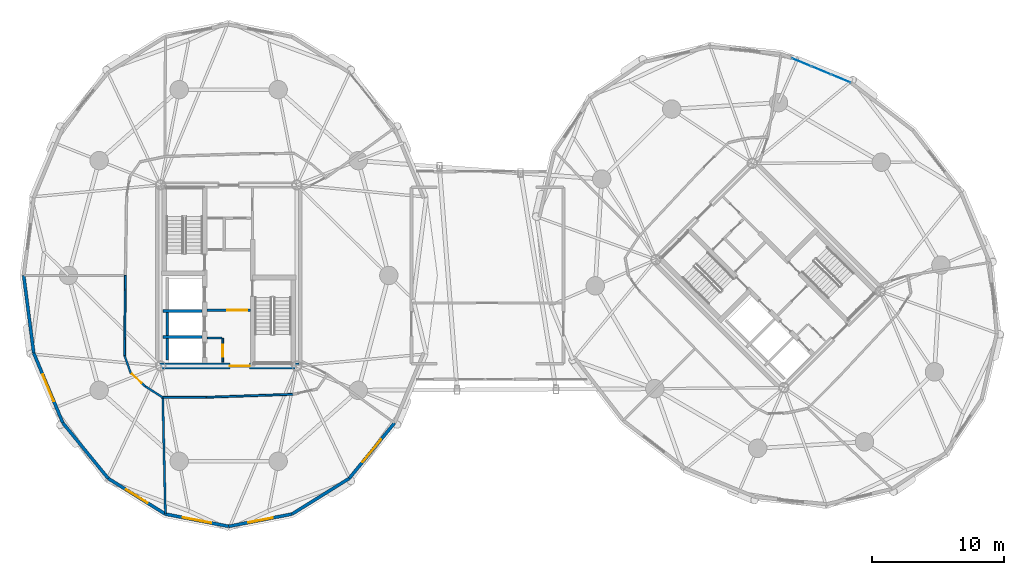
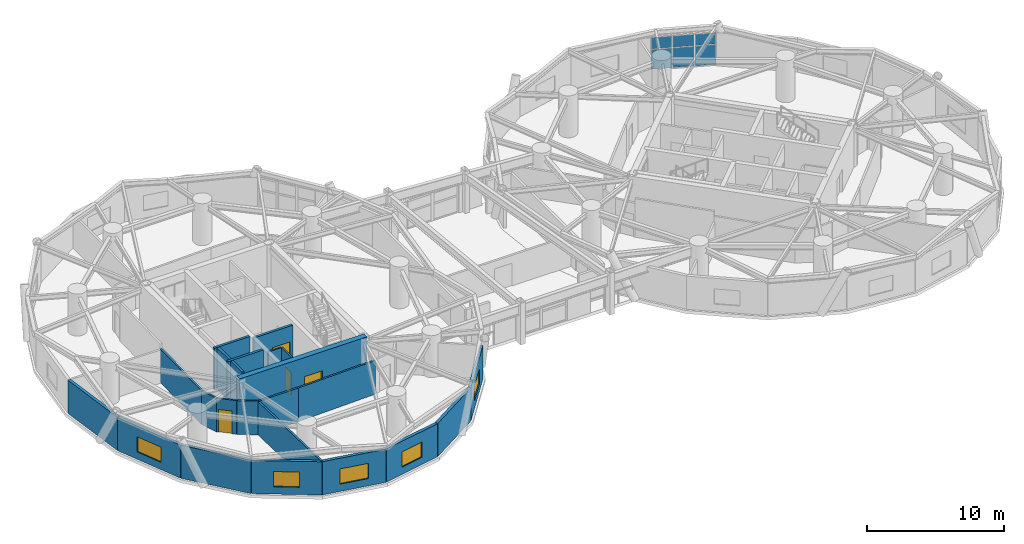
# One storey, part 12 of 19: 23 walls, 6 plates, 5 windows, 4 doors, 9 openings, 1 element without a shape of its own.
"""IFC4 building model written with IfcOpenShell, lengths in metres."""

from ifc_helpers import new_model, si_unit, direction, frame, frame_2d, origin, origin_2d, place, context, subcontext, project, spatial, rectangle, extrude, source, transform, mapped, material, layer, layer_set, type_object, element, fill, aggregate, save


model = new_model("IFC4")

# Units and contexts
model_context = context("Model", 3, precision=1e-05, world=origin(), true_north=direction((0.0, 1.0)))
body_context = subcontext(model_context, "Body", "Model", "MODEL_VIEW")
ifc_project = project(units=[si_unit("LENGTHUNIT", "METRE"), si_unit("AREAUNIT", "SQUARE_METRE"), si_unit("VOLUMEUNIT", "CUBIC_METRE"), si_unit("PLANEANGLEUNIT", "RADIAN"), si_unit("MASSUNIT", "GRAM", prefix="KILO")], contexts=[model_context])

# Site, building, storey
site_placement = place(None, origin())
site = spatial("IfcSite", under=ifc_project, at=site_placement, CompositionType="ELEMENT")
building_placement = place(site_placement, origin())
building = spatial("IfcBuilding", under=site, at=building_placement, Name="Cununo Teusaquillo Station Towers", CompositionType="ELEMENT")
storey_placement = place(building_placement, frame((0.0, 0.0, 136.60009765625)))
storey = spatial("IfcBuildingStorey", under=building, at=storey_placement, Name="L43", CompositionType="ELEMENT", Elevation=136.60009765625)

# Curtain wall, plates
ifc_material_1 = material(Name="Ceramic-fritted dark low-E double glazing", Category="glass")
ifc_layer_1 = layer(ifc_material_1, 0.179931640625)
ifc_layer_set_1 = layer_set([ifc_layer_1], Name="Ceramic-fritted dark low-E double glazing")
curtain_wall_type = type_object("IfcCurtainWallType", Name="CW-SYS-04", PredefinedType="USERDEFINED", material=ifc_layer_set_1)
curtain_wall_placement = place(storey_placement, origin())
curtain_wall = element("IfcCurtainWall", 1, at=curtain_wall_placement, inside=storey, type_object=curtain_wall_type, Name="L43 Tower B Facade Curtain Wall C01", ObjectType="FRITTED GLAZING", PredefinedType="USERDEFINED")
ifc_material_2 = material(Name="Ceramic-fritted dark low-E double glazing", Category="glass")
ifc_layer_2 = layer(ifc_material_2, 0.028076171875)
ifc_layer_set_2 = layer_set([ifc_layer_2], Name="Ceramic-fritted dark low-E double glazing")
plate_type = type_object("IfcPlateType", Name="CWP-FRIT-28", PredefinedType="CURTAIN_PANEL", material=ifc_layer_set_2)
shared_shape_1 = source(origin(), body_context, "Body", "SweptSolid", [
    extrude(rectangle(XDim=1.531005859375, YDim=0.028076171875, at=origin_2d()), origin(), (0.0, 0.0, 1.0), 1.7451171875),
])
plate_1_placement = place(storey_placement, frame((60.045654296875, 40.697021484375, 0.06982421875), z_axis=(0.0, 0.0, 1.0), x_axis=(0.924562443652, -0.381030560176, 0.0)))
plate_1 = element("IfcPlate", 2, at=plate_1_placement, type_object=plate_type, Name="CW-04 panel 1.1", PredefinedType="CURTAIN_PANEL", context=body_context, shape_type="MappedRepresentation", body=[
    mapped(shared_shape_1, transform((0.0, 0.0, 0.0), x_axis=(1.0, 0.0, 0.0), y_axis=(0.0, 1.0, 0.0), z_axis=(0.0, 0.0, 1.0), scale=1.0)),
])
plate_2_placement = place(storey_placement, frame((63.03857421875, 39.463623046875, 0.06982421875), z_axis=(0.0, 0.0, 1.0), x_axis=(0.924562443652, -0.381030560176, 0.0)))
plate_2 = element("IfcPlate", 3, at=plate_2_placement, type_object=plate_type, Name="CW-04 panel 3.1", PredefinedType="CURTAIN_PANEL", context=body_context, shape_type="MappedRepresentation", body=[
    mapped(shared_shape_1, transform((0.0, 0.0, 0.0), x_axis=(1.0, 0.0, 0.0), y_axis=(0.0, 1.0, 0.0), z_axis=(0.0, 0.0, 1.0), scale=1.0)),
])
shared_shape_2 = source(origin(), body_context, "Body", "SweptSolid", [
    extrude(rectangle(XDim=1.531005859375, YDim=0.028076171875, at=origin_2d()), origin(), (0.0, 0.0, 1.0), 0.993896484375),
])
plate_3_placement = place(storey_placement, frame((60.045654296875, 40.697021484375, 1.884765625), z_axis=(0.0, 0.0, 1.0), x_axis=(0.924562443652, -0.381030560176, 0.0)))
plate_3 = element("IfcPlate", 4, at=plate_3_placement, type_object=plate_type, Name="CW-04 panel 1.2", PredefinedType="CURTAIN_PANEL", context=body_context, shape_type="MappedRepresentation", body=[
    mapped(shared_shape_2, transform((0.0, 0.0, 0.0), x_axis=(1.0, 0.0, 0.0), y_axis=(0.0, 1.0, 0.0), z_axis=(0.0, 0.0, 1.0), scale=1.0)),
])
plate_4_placement = place(storey_placement, frame((63.03857421875, 39.463623046875, 1.884765625), z_axis=(0.0, 0.0, 1.0), x_axis=(0.924562443652, -0.381030560176, 0.0)))
plate_4 = element("IfcPlate", 5, at=plate_4_placement, type_object=plate_type, Name="CW-04 panel 3.2", PredefinedType="CURTAIN_PANEL", context=body_context, shape_type="MappedRepresentation", body=[
    mapped(shared_shape_2, transform((0.0, 0.0, 0.0), x_axis=(1.0, 0.0, 0.0), y_axis=(0.0, 1.0, 0.0), z_axis=(0.0, 0.0, 1.0), scale=1.0)),
])
shared_shape_3 = source(origin(), body_context, "Body", "SweptSolid", [
    extrude(rectangle(XDim=1.566162109375, YDim=0.028076171875, at=origin_2d()), origin(), (0.0, 0.0, 1.0), 1.7451171875),
])
plate_5_placement = place(storey_placement, frame((61.542236328125, 40.080322265625, 0.06982421875), z_axis=(0.0, 0.0, 1.0), x_axis=(0.924562443652, -0.381030560176, 0.0)))
plate_5 = element("IfcPlate", 6, at=plate_5_placement, type_object=plate_type, Name="CW-04 panel 2.1", PredefinedType="CURTAIN_PANEL", context=body_context, shape_type="MappedRepresentation", body=[
    mapped(shared_shape_3, transform((0.0, 0.0, 0.0), x_axis=(1.0, 0.0, 0.0), y_axis=(0.0, 1.0, 0.0), z_axis=(0.0, 0.0, 1.0), scale=1.0)),
])
shared_shape_4 = source(origin(), body_context, "Body", "SweptSolid", [
    extrude(rectangle(XDim=1.566162109375, YDim=0.028076171875, at=origin_2d()), origin(), (0.0, 0.0, 1.0), 0.993896484375),
])
plate_6_placement = place(storey_placement, frame((61.542236328125, 40.080322265625, 1.884765625), z_axis=(0.0, 0.0, 1.0), x_axis=(0.924562443652, -0.381030560176, 0.0)))
plate_6 = element("IfcPlate", 7, at=plate_6_placement, type_object=plate_type, Name="CW-04 panel 2.2", PredefinedType="CURTAIN_PANEL", context=body_context, shape_type="MappedRepresentation", body=[
    mapped(shared_shape_4, transform((0.0, 0.0, 0.0), x_axis=(1.0, 0.0, 0.0), y_axis=(0.0, 1.0, 0.0), z_axis=(0.0, 0.0, 1.0), scale=1.0)),
])
aggregate(curtain_wall, [plate_1, plate_3, plate_5, plate_6, plate_2, plate_4])

# Walls
ifc_material_3 = material(Name="Concrete C50/60", Category="concrete")
ifc_layer_3 = layer(ifc_material_3, 0.199951171875)
ifc_layer_set_3 = layer_set([ifc_layer_3], Name="Concrete C50/60")
wall_type_1 = type_object("IfcWallType", Name="WL-CORE-200", PredefinedType="SHEAR", material=ifc_layer_set_3)
for number, where, z_axis, x_axis, name in (
    (8, (11.52001953125, 21.800048828125, 0.0), (0.0, 0.0, 1.0), (1.0, 0.0, 0.0), "L43 Tower A Firefighting Lift Shaft South Shear Wall"),
    (9, (11.52001953125, 19.824951171875, 0.0), (0.0, 0.0, 1.0), (1.0, 0.0, 0.0), "L43 Tower A High-Rise Lift Hoistway Divider Shear Wall"),
):
    element("IfcWall", number, at=place(storey_placement, frame(where, z_axis=z_axis, x_axis=x_axis)), inside=storey, type_object=wall_type_1, Name=name, PredefinedType="SHEAR", context=body_context, shape_type="SweptSolid", body=[
        extrude(rectangle(XDim=2.969970703125, YDim=0.199951171875, at=frame_2d((1.48486328125, 0.0))), origin(), (0.0, 0.0, 1.0), 3.719970703125),
    ])
wall_1_placement = place(storey_placement, frame((11.820068359375, 19.945068359375, 0.0), z_axis=(0.0, 0.0, 1.0), x_axis=(0.0, 1.0, 0.0)))
element("IfcWall", 10, at=wall_1_placement, inside=storey, type_object=wall_type_1, Name="L43 Tower A High-Rise Lift 2 Shaft Rear Shear Wall", PredefinedType="SHEAR", context=body_context, shape_type="SweptSolid", body=[
    extrude(rectangle(XDim=1.73486328125, YDim=0.199951171875, at=frame_2d((0.867431640625, 0.0))), origin(), (0.0, 0.0, 1.0), 3.719970703125),
])
wall_2_placement = place(storey_placement, frame((11.820068359375, 18.070068359375, 0.0), z_axis=(0.0, 0.0, 1.0), x_axis=(0.0, 1.0, 0.0)))
element("IfcWall", 11, at=wall_2_placement, inside=storey, type_object=wall_type_1, Name="L43 Tower A High-Rise Lift 1 Shaft Rear Shear Wall", PredefinedType="SHEAR", context=body_context, shape_type="SweptSolid", body=[
    extrude(rectangle(XDim=1.635009765625, YDim=0.199951171875, at=frame_2d((0.8173828125, 0.0))), origin(), (0.0, 0.0, 1.0), 3.719970703125),
])

# Wall, opening, door
ifc_material_4 = material(Name="Concrete C60/75", Category="concrete")
ifc_layer_4 = layer(ifc_material_4, 0.449951171875)
ifc_layer_set_4 = layer_set([ifc_layer_4], Name="Concrete C60/75")
wall_type_2 = type_object("IfcWallType", Name="WL-CORE-450", PredefinedType="SHEAR", material=ifc_layer_set_4)
wall_3_placement = place(storey_placement, frame((11.14990234375, 17.625, 0.0), z_axis=(0.0, 0.0, 1.0), x_axis=(1.0, 0.0, 0.0)))
wall_3 = element("IfcWall", 12, at=wall_3_placement, inside=storey, type_object=wall_type_2, Name="L43 Tower A Core Shear Wall S", PredefinedType="SHEAR", context=body_context, shape_type="SweptSolid", body=[
    extrude(rectangle(XDim=10.7001953125, YDim=0.449951171875, at=frame_2d((5.35009765625, 0.0))), origin(), (0.0, 0.0, 1.0), 3.719970703125),
])
shared_shape_5 = source(origin(), body_context, "Body", "SweptSolid", [
    extrude(rectangle(XDim=1.5, YDim=2.02001953125, at=frame_2d((0.75, 1.010009765625))), frame((0.0, 0.23486328125, 0.0), z_axis=(0.0, -1.0, 0.0), x_axis=(1.0, 0.0, 0.0)), (0.0, 0.0, 1.0), 0.469970703125),
])
opening_1_placement = place(wall_3_placement, frame((5.449951171875, 0.0, 0.0)))
opening_1 = element("IfcOpeningElement", 13, at=opening_1_placement, cuts=wall_3, Name="Opening D-LB1", PredefinedType="OPENING", context=body_context, shape_type="MappedRepresentation", body=[
    mapped(shared_shape_5, transform((0.0, 0.0, 0.0), x_axis=(1.0, 0.0, 0.0), y_axis=(0.0, 1.0, 0.0), z_axis=(0.0, 0.0, 1.0), scale=1.0)),
])
ifc_material_5 = material(Name="Galvanised fire-rated hollow steel door assembly", Category="steel")
door_type_1 = type_object("IfcDoorType", Name="DR-LOBBY-1500", OperationType="DOUBLE_DOOR_SINGLE_SWING", PredefinedType="DOOR", material=ifc_material_5)
shared_shape_6 = source(origin(), body_context, "Body", "SweptSolid", [
    extrude(rectangle(XDim=1.5, YDim=2.02001953125, at=frame_2d((0.75, 1.010009765625))), frame((0.0, 0.02490234375, 0.0), z_axis=(0.0, -1.0, 0.0), x_axis=(1.0, 0.0, 0.0)), (0.0, 0.0, 1.0), 0.050048828125),
])
door_1_placement = place(opening_1_placement, origin())
door_1 = element("IfcDoor", 14, at=door_1_placement, inside=storey, type_object=door_type_1, Name="L43 Tower A South Core Lift Lobby Door", OperationType="DOUBLE_DOOR_SINGLE_SWING", OverallHeight=2.02001953125, OverallWidth=1.5, PredefinedType="DOOR", context=body_context, shape_type="MappedRepresentation", body=[
    mapped(shared_shape_6, transform((0.0, 0.0, 0.0), x_axis=(1.0, 0.0, 0.0), y_axis=(0.0, 1.0, 0.0), z_axis=(0.0, 0.0, 1.0), scale=1.0)),
])
fill(opening_1, door_1)

# Wall
ifc_material_6 = material(Name="Precast concrete C40/50", Category="concrete")
ifc_layer_5 = layer(ifc_material_6, 0.239990234375)
ifc_layer_set_5 = layer_set([ifc_layer_5], Name="Precast concrete C40/50")
wall_type_3 = type_object("IfcWallType", Name="WL-EXT-240", PredefinedType="SOLIDWALL", material=ifc_layer_set_5)
wall_4_placement = place(storey_placement, frame((1.681640625, 18.60693359375, 0.0), z_axis=(0.0, 0.0, 1.0), x_axis=(-0.128351991996, 0.991728675672, 0.0)))
element("IfcWall", 15, at=wall_4_placement, inside=storey, type_object=wall_type_3, Name="L43 Tower A Exterior Facade Wall C10", PredefinedType="SOLIDWALL", context=body_context, shape_type="SweptSolid", body=[
    extrude(rectangle(XDim=5.942138671875, YDim=0.239990234375, at=frame_2d((2.97119140625, 0.0))), origin(), (0.0, 0.0, 1.0), 2.948974609375),
])

# Wall, opening, window
wall_5_placement = place(storey_placement, frame((3.894775390625, 13.291015625, 0.0), z_axis=(0.0, 0.0, 1.0), x_axis=(-0.384344417632, 0.923189779317, 0.0)))
wall_5 = element("IfcWall", 16, at=wall_5_placement, inside=storey, type_object=wall_type_3, Name="L43 Tower A Exterior Facade Wall C11", PredefinedType="SOLIDWALL", context=body_context, shape_type="SweptSolid", body=[
    extrude(rectangle(XDim=5.75830078125, YDim=0.239990234375, at=frame_2d((2.879150390625, 0.0))), origin(), (0.0, 0.0, 1.0), 2.948974609375),
])
shared_shape_7 = source(origin(), body_context, "Body", "SweptSolid", [
    extrude(rectangle(XDim=2.199951171875, YDim=1.35009765625, at=frame_2d((1.10009765625, 0.675048828125))), frame((0.0, 0.1298828125, 0.0), z_axis=(0.0, -1.0, 0.0), x_axis=(1.0, 0.0, 0.0)), (0.0, 0.0, 1.0), 0.260009765625),
])
opening_2_placement = place(wall_5_placement, frame((1.779052734375, 0.0, 0.64990234375)))
opening_2 = element("IfcOpeningElement", 17, at=opening_2_placement, cuts=wall_5, Name="Opening WN-01", PredefinedType="OPENING", context=body_context, shape_type="MappedRepresentation", body=[
    mapped(shared_shape_7, transform((0.0, 0.0, 0.0), x_axis=(1.0, 0.0, 0.0), y_axis=(0.0, 1.0, 0.0), z_axis=(0.0, 0.0, 1.0), scale=1.0)),
])
ifc_material_7 = material(Name="Ceramic-fritted dark low-E double glazing", Category="glass")
window_type_1 = type_object("IfcWindowType", Name="WIN-FRIT-2200", PartitioningType="DOUBLE_PANEL_VERTICAL", PredefinedType="WINDOW", material=ifc_material_7)
shared_shape_8 = source(origin(), body_context, "Body", "SweptSolid", [
    extrude(rectangle(XDim=2.199951171875, YDim=1.35009765625, at=frame_2d((1.10009765625, 0.675048828125))), frame((0.0, 0.030029296875, 0.0), z_axis=(0.0, -1.0, 0.0), x_axis=(1.0, 0.0, 0.0)), (0.0, 0.0, 1.0), 0.06005859375),
])
window_1_placement = place(opening_2_placement, origin())
window_1 = element("IfcWindow", 18, at=window_1_placement, inside=storey, type_object=window_type_1, Name="L43 Tower A Facade Window C11", OverallHeight=1.35009765625, OverallWidth=2.199951171875, PartitioningType="DOUBLE_PANEL_VERTICAL", PredefinedType="WINDOW", context=body_context, shape_type="MappedRepresentation", body=[
    mapped(shared_shape_8, transform((0.0, 0.0, 0.0), x_axis=(1.0, 0.0, 0.0), y_axis=(0.0, 1.0, 0.0), z_axis=(0.0, 0.0, 1.0), scale=1.0)),
])
fill(opening_2, window_1)

# Wall
wall_6_placement = place(storey_placement, frame((7.341796875, 9.072021484375, 0.0), z_axis=(0.0, 0.0, 1.0), x_axis=(-0.632700781152, 0.77439635945, 0.0)))
element("IfcWall", 19, at=wall_6_placement, inside=storey, type_object=wall_type_3, Name="L43 Tower A Exterior Facade Wall C12", PredefinedType="SOLIDWALL", context=body_context, shape_type="SweptSolid", body=[
    extrude(rectangle(XDim=5.447998046875, YDim=0.239990234375, at=frame_2d((2.72412109375, 0.0))), origin(), (0.0, 0.0, 1.0), 2.948974609375),
])

# Wall, opening, window
wall_7_placement = place(storey_placement, frame((11.685302734375, 6.36328125, 0.0), z_axis=(0.0, 0.0, 1.0), x_axis=(-0.848520380187, 0.529162701263, 0.0)))
wall_7 = element("IfcWall", 20, at=wall_7_placement, inside=storey, type_object=wall_type_3, Name="L43 Tower A Exterior Facade Wall C13", PredefinedType="SOLIDWALL", context=body_context, shape_type="SweptSolid", body=[
    extrude(rectangle(XDim=5.118896484375, YDim=0.239990234375, at=frame_2d((2.5595703125, 0.0))), origin(), (0.0, 0.0, 1.0), 2.948974609375),
])
shared_shape_9 = source(origin(), body_context, "Body", "SweptSolid", [
    extrude(rectangle(XDim=1.89990234375, YDim=1.35009765625, at=frame_2d((0.949951171875, 0.675048828125))), frame((0.0, 0.1298828125, 0.0), z_axis=(0.0, -1.0, 0.0), x_axis=(1.0, 0.0, 0.0)), (0.0, 0.0, 1.0), 0.260009765625),
])
opening_3_placement = place(wall_7_placement, frame((1.60888671875, 0.0, 0.64990234375)))
opening_3 = element("IfcOpeningElement", 21, at=opening_3_placement, cuts=wall_7, Name="Opening WN-02", PredefinedType="OPENING", context=body_context, shape_type="MappedRepresentation", body=[
    mapped(shared_shape_9, transform((0.0, 0.0, 0.0), x_axis=(1.0, 0.0, 0.0), y_axis=(0.0, 1.0, 0.0), z_axis=(0.0, 0.0, 1.0), scale=1.0)),
])
ifc_material_8 = material(Name="Operable acoustic tinted low-E double glazing", Category="glass")
window_type_2 = type_object("IfcWindowType", Name="WIN-OPER-1900", PartitioningType="DOUBLE_PANEL_VERTICAL", PredefinedType="WINDOW", material=ifc_material_8)
shared_shape_10 = source(origin(), body_context, "Body", "SweptSolid", [
    extrude(rectangle(XDim=1.89990234375, YDim=1.35009765625, at=frame_2d((0.949951171875, 0.675048828125))), frame((0.0, 0.030029296875, 0.0), z_axis=(0.0, -1.0, 0.0), x_axis=(1.0, 0.0, 0.0)), (0.0, 0.0, 1.0), 0.06005859375),
])
window_2_placement = place(opening_3_placement, origin())
window_2 = element("IfcWindow", 22, at=window_2_placement, inside=storey, type_object=window_type_2, Name="L43 Tower A Facade Window C13", OverallHeight=1.35009765625, OverallWidth=1.89990234375, PartitioningType="DOUBLE_PANEL_VERTICAL", PredefinedType="WINDOW", context=body_context, shape_type="MappedRepresentation", body=[
    mapped(shared_shape_10, transform((0.0, 0.0, 0.0), x_axis=(1.0, 0.0, 0.0), y_axis=(0.0, 1.0, 0.0), z_axis=(0.0, 0.0, 1.0), scale=1.0)),
])
fill(opening_3, window_2)

wall_8_placement = place(storey_placement, frame((16.5, 5.429931640625, 0.0), z_axis=(0.0, 0.0, 1.0), x_axis=(-0.981723785992, 0.190311344954, 0.0)))
wall_8 = element("IfcWall", 23, at=wall_8_placement, inside=storey, type_object=wall_type_3, Name="L43 Tower A Exterior Facade Wall C14", PredefinedType="SOLIDWALL", context=body_context, shape_type="SweptSolid", body=[
    extrude(rectangle(XDim=4.904296875, YDim=0.239990234375, at=frame_2d((2.4521484375, 0.0))), origin(), (0.0, 0.0, 1.0), 2.948974609375),
])
opening_4_placement = place(wall_8_placement, frame((1.35205078125, 0.0, 0.64990234375)))
opening_4 = element("IfcOpeningElement", 24, at=opening_4_placement, cuts=wall_8, Name="Opening WN-01", PredefinedType="OPENING", context=body_context, shape_type="MappedRepresentation", body=[
    mapped(shared_shape_7, transform((0.0, 0.0, 0.0), x_axis=(1.0, 0.0, 0.0), y_axis=(0.0, 1.0, 0.0), z_axis=(0.0, 0.0, 1.0), scale=1.0)),
])
window_3_placement = place(opening_4_placement, origin())
window_3 = element("IfcWindow", 25, at=window_3_placement, inside=storey, type_object=window_type_1, Name="L43 Tower A Facade Window C14", OverallHeight=1.35009765625, OverallWidth=2.199951171875, PartitioningType="DOUBLE_PANEL_VERTICAL", PredefinedType="WINDOW", context=body_context, shape_type="MappedRepresentation", body=[
    mapped(shared_shape_8, transform((0.0, 0.0, 0.0), x_axis=(1.0, 0.0, 0.0), y_axis=(0.0, 1.0, 0.0), z_axis=(0.0, 0.0, 1.0), scale=1.0)),
])
fill(opening_4, window_3)

wall_9_placement = place(storey_placement, frame((21.314697265625, 6.36328125, 0.0), z_axis=(0.0, 0.0, 1.0), x_axis=(-0.981723785992, -0.190311344954, 0.0)))
wall_9 = element("IfcWall", 26, at=wall_9_placement, inside=storey, type_object=wall_type_3, Name="L43 Tower A Exterior Facade Wall C15", PredefinedType="SOLIDWALL", context=body_context, shape_type="SweptSolid", body=[
    extrude(rectangle(XDim=4.904296875, YDim=0.239990234375, at=frame_2d((2.4521484375, 0.0))), origin(), (0.0, 0.0, 1.0), 2.948974609375),
])
opening_5_placement = place(wall_9_placement, frame((1.501953125, 0.0, 0.64990234375)))
opening_5 = element("IfcOpeningElement", 27, at=opening_5_placement, cuts=wall_9, Name="Opening WN-02", PredefinedType="OPENING", context=body_context, shape_type="MappedRepresentation", body=[
    mapped(shared_shape_9, transform((0.0, 0.0, 0.0), x_axis=(1.0, 0.0, 0.0), y_axis=(0.0, 1.0, 0.0), z_axis=(0.0, 0.0, 1.0), scale=1.0)),
])
window_4_placement = place(opening_5_placement, origin())
window_4 = element("IfcWindow", 28, at=window_4_placement, inside=storey, type_object=window_type_2, Name="L43 Tower A Facade Window C15", OverallHeight=1.35009765625, OverallWidth=1.89990234375, PartitioningType="DOUBLE_PANEL_VERTICAL", PredefinedType="WINDOW", context=body_context, shape_type="MappedRepresentation", body=[
    mapped(shared_shape_10, transform((0.0, 0.0, 0.0), x_axis=(1.0, 0.0, 0.0), y_axis=(0.0, 1.0, 0.0), z_axis=(0.0, 0.0, 1.0), scale=1.0)),
])
fill(opening_5, window_4)

# Wall
wall_10_placement = place(storey_placement, frame((25.658203125, 9.072021484375, 0.0), z_axis=(0.0, 0.0, 1.0), x_axis=(-0.848520380187, -0.529162701263, 0.0)))
element("IfcWall", 29, at=wall_10_placement, inside=storey, type_object=wall_type_3, Name="L43 Tower A Exterior Facade Wall C16", PredefinedType="SOLIDWALL", context=body_context, shape_type="SweptSolid", body=[
    extrude(rectangle(XDim=5.118896484375, YDim=0.239990234375, at=frame_2d((2.5595703125, 0.0))), origin(), (0.0, 0.0, 1.0), 2.948974609375),
])

# Wall, opening, window
wall_11_placement = place(storey_placement, frame((29.105224609375, 13.291015625, 0.0), z_axis=(0.0, 0.0, 1.0), x_axis=(-0.632700781152, -0.77439635945, 0.0)))
wall_11 = element("IfcWall", 30, at=wall_11_placement, inside=storey, type_object=wall_type_3, Name="L43 Tower A Exterior Facade Wall C17", PredefinedType="SOLIDWALL", context=body_context, shape_type="SweptSolid", body=[
    extrude(rectangle(XDim=5.447998046875, YDim=0.239990234375, at=frame_2d((2.72412109375, 0.0))), origin(), (0.0, 0.0, 1.0), 2.948974609375),
])
opening_6_placement = place(wall_11_placement, frame((1.6240234375, 0.0, 0.64990234375)))
opening_6 = element("IfcOpeningElement", 31, at=opening_6_placement, cuts=wall_11, Name="Opening WN-01", PredefinedType="OPENING", context=body_context, shape_type="MappedRepresentation", body=[
    mapped(shared_shape_7, transform((0.0, 0.0, 0.0), x_axis=(1.0, 0.0, 0.0), y_axis=(0.0, 1.0, 0.0), z_axis=(0.0, 0.0, 1.0), scale=1.0)),
])
window_5_placement = place(opening_6_placement, origin())
window_5 = element("IfcWindow", 32, at=window_5_placement, inside=storey, type_object=window_type_1, Name="L43 Tower A Facade Window C17", OverallHeight=1.35009765625, OverallWidth=2.199951171875, PartitioningType="DOUBLE_PANEL_VERTICAL", PredefinedType="WINDOW", context=body_context, shape_type="MappedRepresentation", body=[
    mapped(shared_shape_8, transform((0.0, 0.0, 0.0), x_axis=(1.0, 0.0, 0.0), y_axis=(0.0, 1.0, 0.0), z_axis=(0.0, 0.0, 1.0), scale=1.0)),
])
fill(opening_6, window_5)

# Wall, opening, door
ifc_material_9 = material(Name="Fire-rated gypsum plasterboard partition assembly", Category="gypsum")
ifc_layer_6 = layer(ifc_material_9, 0.125)
ifc_layer_set_6 = layer_set([ifc_layer_6], Name="Fire-rated gypsum plasterboard partition assembly")
wall_type_4 = type_object("IfcWallType", Name="WL-PART-125", PredefinedType="PARTITIONING", material=ifc_layer_set_6)
wall_12_placement = place(storey_placement, frame((16.050048828125, 17.919921875, 0.0), z_axis=(0.0, 0.0, 1.0), x_axis=(0.0, 1.0, 0.0)))
wall_12 = element("IfcWall", 33, at=wall_12_placement, inside=storey, type_object=wall_type_4, Name="L43 Tower A South-West Compact Store East Wall", PredefinedType="PARTITIONING", context=body_context, shape_type="SweptSolid", body=[
    extrude(rectangle(XDim=1.800048828125, YDim=0.125, at=frame_2d((0.89990234375, 0.0))), origin(), (0.0, 0.0, 1.0), 3.4248046875),
])
shared_shape_11 = source(origin(), body_context, "Body", "SweptSolid", [
    extrude(rectangle(XDim=0.89990234375, YDim=2.0048828125, at=frame_2d((0.449951171875, 1.00244140625))), frame((0.0, 0.072509765625, 0.0), z_axis=(0.0, -1.0, 0.0), x_axis=(1.0, 0.0, 0.0)), (0.0, 0.0, 1.0), 0.14501953125),
])
opening_7_placement = place(wall_12_placement, frame((0.419921875, 0.0, 0.0)))
opening_7 = element("IfcOpeningElement", 34, at=opening_7_placement, cuts=wall_12, Name="Opening D-SR1", PredefinedType="OPENING", context=body_context, shape_type="MappedRepresentation", body=[
    mapped(shared_shape_11, transform((0.0, 0.0, 0.0), x_axis=(1.0, 0.0, 0.0), y_axis=(0.0, 1.0, 0.0), z_axis=(0.0, 0.0, 1.0), scale=1.0)),
])
ifc_material_10 = material(Name="Galvanised fire-rated hollow steel door assembly", Category="steel")
door_type_2 = type_object("IfcDoorType", Name="DR-STORE-900", OperationType="NOTDEFINED", PredefinedType="DOOR", material=ifc_material_10)
shared_shape_12 = source(origin(), body_context, "Body", "SweptSolid", [
    extrude(rectangle(XDim=0.89990234375, YDim=2.0048828125, at=frame_2d((0.449951171875, 1.00244140625))), frame((0.0, 0.02490234375, 0.0), z_axis=(0.0, -1.0, 0.0), x_axis=(1.0, 0.0, 0.0)), (0.0, 0.0, 1.0), 0.050048828125),
])
door_2_placement = place(opening_7_placement, origin())
door_2 = element("IfcDoor", 35, at=door_2_placement, inside=storey, type_object=door_type_2, Name="L43 Tower A Core Electrical & Comms Store Door", OperationType="SINGLE_SWING_RIGHT", OverallHeight=2.0048828125, OverallWidth=0.89990234375, PredefinedType="DOOR", context=body_context, shape_type="MappedRepresentation", body=[
    mapped(shared_shape_12, transform((0.0, 0.0, 0.0), x_axis=(1.0, 0.0, 0.0), y_axis=(0.0, 1.0, 0.0), z_axis=(0.0, 0.0, 1.0), scale=1.0)),
])
fill(opening_7, door_2)

# Walls
wall_13_placement = place(storey_placement, frame((14.8798828125, 19.75, 0.0), z_axis=(0.0, 0.0, 1.0), x_axis=(1.0, 0.0, 0.0)))
element("IfcWall", 36, at=wall_13_placement, inside=storey, type_object=wall_type_4, Name="L43 Tower A South-West Compact Store North Wall", PredefinedType="PARTITIONING", context=body_context, shape_type="SweptSolid", body=[
    extrude(rectangle(XDim=1.10009765625, YDim=0.125, at=frame_2d((0.550048828125, 0.0))), origin(), (0.0, 0.0, 1.0), 3.4248046875),
])
ifc_material_11 = material(Name="Fire-rated gypsum plasterboard partition assembly", Category="gypsum")
ifc_layer_7 = layer(ifc_material_11, 0.14990234375)
ifc_layer_set_7 = layer_set([ifc_layer_7], Name="Fire-rated gypsum plasterboard partition assembly")
wall_type_5 = type_object("IfcWallType", Name="WL-PART-150", PredefinedType="PARTITIONING", material=ifc_layer_set_7)
wall_14_placement = place(storey_placement, frame((8.64990234375, 24.5, 0.0), z_axis=(0.0, 0.0, 1.0), x_axis=(-0.010250943023, -0.999947457703, 0.0)))
element("IfcWall", 37, at=wall_14_placement, inside=storey, type_object=wall_type_5, Name="L43 Tower A Corridor Ring Wall C10", PredefinedType="PARTITIONING", context=body_context, shape_type="SweptSolid", body=[
    extrude(rectangle(XDim=6.096923828125, YDim=0.14990234375, at=frame_2d((3.04833984375, 0.0))), origin(), (0.0, 0.0, 1.0), 2.994873046875),
])
wall_15_placement = place(storey_placement, frame((8.58740234375, 18.4033203125, 0.0), z_axis=(0.0, 0.0, 1.0), x_axis=(0.333119120686, -0.942884749815, 0.0)))
element("IfcWall", 38, at=wall_15_placement, inside=storey, type_object=wall_type_5, Name="L43 Tower A Corridor Ring Wall C11", PredefinedType="PARTITIONING", context=body_context, shape_type="SweptSolid", body=[
    extrude(rectangle(XDim=1.409423828125, YDim=0.14990234375, at=frame_2d((0.70458984375, 0.0))), origin(), (0.0, 0.0, 1.0), 2.994873046875),
])

# Wall, opening, door
wall_16_placement = place(storey_placement, frame((9.056884765625, 17.074462890625, 0.0), z_axis=(0.0, 0.0, 1.0), x_axis=(0.739999571423, -0.672607340351, 0.0)))
wall_16 = element("IfcWall", 39, at=wall_16_placement, inside=storey, type_object=wall_type_5, Name="L43 Tower A Corridor Ring Wall C12", PredefinedType="PARTITIONING", context=body_context, shape_type="SweptSolid", body=[
    extrude(rectangle(XDim=1.4853515625, YDim=0.14990234375, at=frame_2d((0.74267578125, 0.0))), origin(), (0.0, 0.0, 1.0), 2.994873046875),
])
shared_shape_13 = source(origin(), body_context, "Body", "SweptSolid", [
    extrude(rectangle(XDim=1.0, YDim=2.014892578125, at=frame_2d((0.5, 1.00732421875))), frame((0.0, 0.0849609375, 0.0), z_axis=(0.0, -1.0, 0.0), x_axis=(1.0, 0.0, 0.0)), (0.0, 0.0, 1.0), 0.169921875),
])
opening_8_placement = place(wall_16_placement, frame((0.1201171875, 0.0, 0.0)))
opening_8 = element("IfcOpeningElement", 40, at=opening_8_placement, cuts=wall_16, Name="Opening D-AC1", PredefinedType="OPENING", context=body_context, shape_type="MappedRepresentation", body=[
    mapped(shared_shape_13, transform((0.0, 0.0, 0.0), x_axis=(1.0, 0.0, 0.0), y_axis=(0.0, 1.0, 0.0), z_axis=(0.0, 0.0, 1.0), scale=1.0)),
])
ifc_material_12 = material(Name="Acoustic solid-core hardwood leaf assembly", Category="wood")
door_type_3 = type_object("IfcDoorType", Name="DR-ACC-1000", OperationType="NOTDEFINED", PredefinedType="DOOR", material=ifc_material_12)
shared_shape_14 = source(origin(), body_context, "Body", "SweptSolid", [
    extrude(rectangle(XDim=1.0, YDim=2.014892578125, at=frame_2d((0.5, 1.00732421875))), frame((0.0, 0.02490234375, 0.0), z_axis=(0.0, -1.0, 0.0), x_axis=(1.0, 0.0, 0.0)), (0.0, 0.0, 1.0), 0.050048828125),
])
door_3_placement = place(opening_8_placement, origin())
door_3 = element("IfcDoor", 41, at=door_3_placement, inside=storey, type_object=door_type_3, Name="L43 Tower A Public Accessible Restroom WC Entrance Door", OperationType="SINGLE_SWING_LEFT", OverallHeight=2.014892578125, OverallWidth=1.0, PredefinedType="DOOR", context=body_context, shape_type="MappedRepresentation", body=[
    mapped(shared_shape_14, transform((0.0, 0.0, 0.0), x_axis=(1.0, 0.0, 0.0), y_axis=(0.0, 1.0, 0.0), z_axis=(0.0, 0.0, 1.0), scale=1.0)),
])
fill(opening_8, door_3)

# Walls
wall_17_placement = place(storey_placement, frame((10.156005859375, 16.075439453125, 0.0), z_axis=(0.0, 0.0, 1.0), x_axis=(0.843896624713, -0.536505812455, 0.0)))
element("IfcWall", 42, at=wall_17_placement, inside=storey, type_object=wall_type_5, Name="L43 Tower A Corridor Ring Wall C13", PredefinedType="PARTITIONING", context=body_context, shape_type="SweptSolid", body=[
    extrude(rectangle(XDim=1.581298828125, YDim=0.14990234375, at=frame_2d((0.79052734375, 0.0))), origin(), (0.0, 0.0, 1.0), 2.994873046875),
])
wall_18_placement = place(storey_placement, frame((11.490478515625, 15.22705078125, 0.0), z_axis=(0.0, 0.0, 1.0), x_axis=(0.999991728046, 0.004067411998, 0.0)))
element("IfcWall", 43, at=wall_18_placement, inside=storey, type_object=wall_type_5, Name="L43 Tower A Corridor Ring Wall C14", PredefinedType="PARTITIONING", context=body_context, shape_type="SweptSolid", body=[
    extrude(rectangle(XDim=3.30126953125, YDim=0.14990234375, at=frame_2d((1.650634765625, 0.0))), origin(), (0.0, 0.0, 1.0), 2.994873046875),
])
wall_19_placement = place(storey_placement, frame((14.791748046875, 15.240478515625, 0.0), z_axis=(0.0, 0.0, 1.0), x_axis=(0.999408106202, 0.034401122909, 0.0)))
element("IfcWall", 44, at=wall_19_placement, inside=storey, type_object=wall_type_5, Name="L43 Tower A Corridor Ring Wall C15", PredefinedType="PARTITIONING", context=body_context, shape_type="SweptSolid", body=[
    extrude(rectangle(XDim=6.60009765625, YDim=0.14990234375, at=frame_2d((3.300048828125, 0.0))), origin(), (0.0, 0.0, 1.0), 2.994873046875),
])
ifc_material_13 = material(Name="Fire-rated gypsum plasterboard partition assembly", Category="gypsum")
ifc_layer_8 = layer(ifc_material_13, 0.159912109375)
ifc_layer_set_8 = layer_set([ifc_layer_8], Name="Fire-rated gypsum plasterboard partition assembly")
wall_type_6 = type_object("IfcWallType", Name="WL-PART-160", PredefinedType="PARTITIONING", material=ifc_layer_set_8)
wall_20_placement = place(storey_placement, frame((11.490478515625, 15.22705078125, 0.0), z_axis=(0.0, 0.0, 1.0), x_axis=(0.022711375682, -0.999742063442, 0.0)))
element("IfcWall", 45, at=wall_20_placement, inside=storey, type_object=wall_type_6, Name="L43 Tower A Radial Suite Partition R04", PredefinedType="PARTITIONING", context=body_context, shape_type="SweptSolid", body=[
    extrude(rectangle(XDim=8.846923828125, YDim=0.159912109375, at=frame_2d((4.42333984375, 0.0))), origin(), (0.0, 0.0, 1.0), 2.948974609375),
])

# Wall, opening, door
ifc_material_14 = material(Name="Fire-rated gypsum plasterboard partition assembly", Category="gypsum")
ifc_layer_9 = layer(ifc_material_14, 0.199951171875)
ifc_layer_set_9 = layer_set([ifc_layer_9], Name="Fire-rated gypsum plasterboard partition assembly")
wall_type_7 = type_object("IfcWallType", Name="WL-PART-200", PredefinedType="PARTITIONING", material=ifc_layer_set_9)
wall_21_placement = place(storey_placement, frame((14.860107421875, 21.85009765625, 0.0), z_axis=(0.0, 0.0, 1.0), x_axis=(1.0, 0.0, 0.0)))
wall_21 = element("IfcWall", 46, at=wall_21_placement, inside=storey, type_object=wall_type_7, Name="L43 Tower A Firefighting Lift Lobby South Fire Wall", PredefinedType="PARTITIONING", context=body_context, shape_type="SweptSolid", body=[
    extrude(rectangle(XDim=3.27978515625, YDim=0.199951171875, at=frame_2d((1.639892578125, 0.0))), origin(), (0.0, 0.0, 1.0), 3.4248046875),
])
shared_shape_15 = source(origin(), body_context, "Body", "SweptSolid", [
    extrude(rectangle(XDim=1.5, YDim=2.02001953125, at=frame_2d((0.75, 1.010009765625))), frame((0.0, 0.10986328125, 0.0), z_axis=(0.0, -1.0, 0.0), x_axis=(1.0, 0.0, 0.0)), (0.0, 0.0, 1.0), 0.219970703125),
])
opening_9_placement = place(wall_21_placement, frame((1.550048828125, 0.0, 0.0)))
opening_9 = element("IfcOpeningElement", 47, at=opening_9_placement, cuts=wall_21, Name="Opening D-LB1", PredefinedType="OPENING", context=body_context, shape_type="MappedRepresentation", body=[
    mapped(shared_shape_15, transform((0.0, 0.0, 0.0), x_axis=(1.0, 0.0, 0.0), y_axis=(0.0, 1.0, 0.0), z_axis=(0.0, 0.0, 1.0), scale=1.0)),
])
door_4_placement = place(opening_9_placement, origin())
door_4 = element("IfcDoor", 48, at=door_4_placement, inside=storey, type_object=door_type_1, Name="L43 Tower A Firefighting Lift Lobby South Fire Door", OperationType="DOUBLE_DOOR_SINGLE_SWING", OverallHeight=2.02001953125, OverallWidth=1.5, PredefinedType="DOOR", context=body_context, shape_type="MappedRepresentation", body=[
    mapped(shared_shape_6, transform((0.0, 0.0, 0.0), x_axis=(1.0, 0.0, 0.0), y_axis=(0.0, 1.0, 0.0), z_axis=(0.0, 0.0, 1.0), scale=1.0)),
])
fill(opening_9, door_4)

save(model, "model.ifc")
